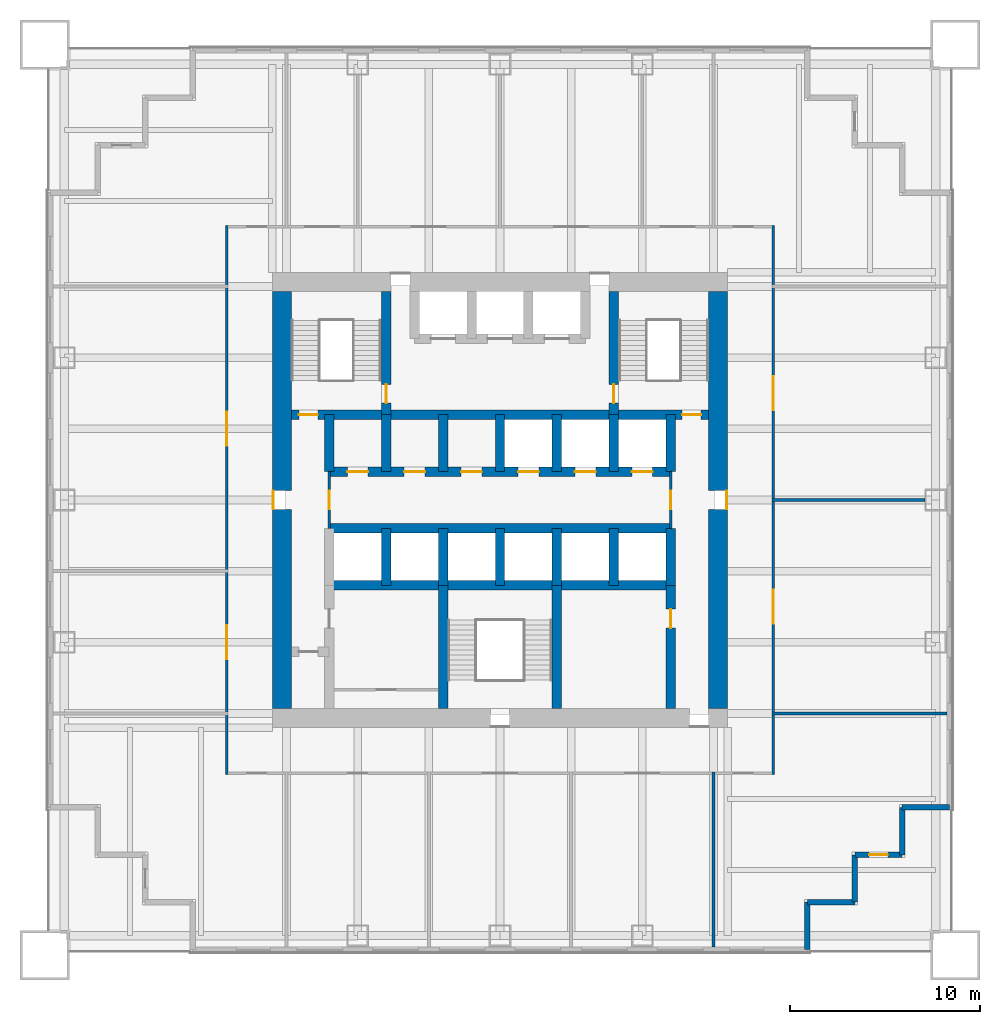
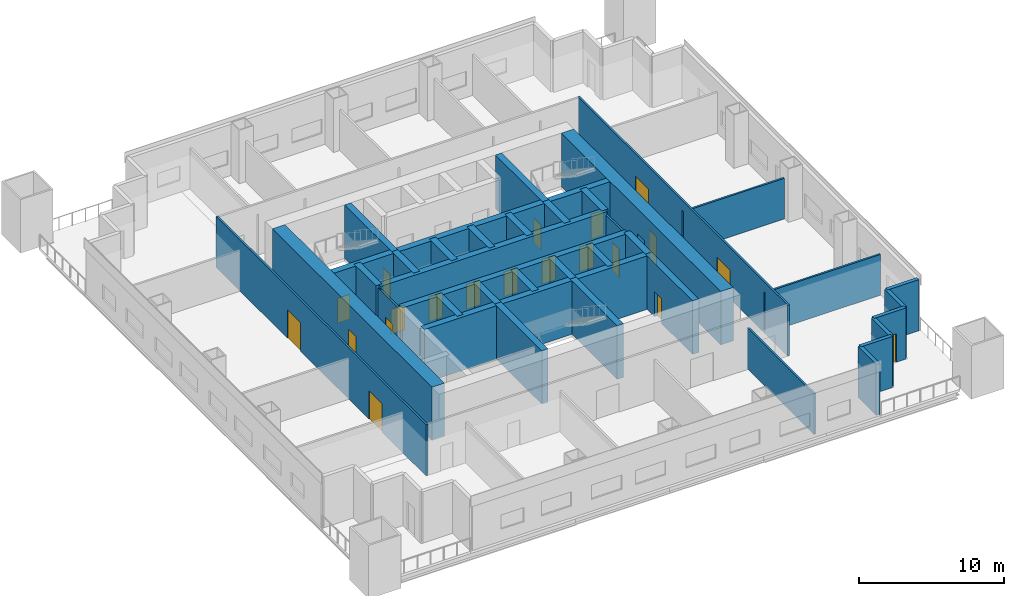
# One storey, part 3 of 6: 37 walls, 20 doors, 20 openings.
"""IFC4 building model written with IfcOpenShell, lengths in metres."""

from ifc_helpers import new_model, si_unit, direction, frame, frame_2d, origin, place, context, subcontext, project, spatial, rectangle, extrude, material, layer, layer_set, type_object, element, fill, save


model = new_model("IFC4")

# Units and contexts
model_context = context("Model", 3, precision=1e-05, world=origin(), true_north=direction((0.0, 1.0)))
body_context = subcontext(model_context, "Body", "Model", "MODEL_VIEW")
ifc_project = project(units=[si_unit("LENGTHUNIT", "METRE"), si_unit("AREAUNIT", "SQUARE_METRE"), si_unit("VOLUMEUNIT", "CUBIC_METRE"), si_unit("PLANEANGLEUNIT", "RADIAN"), si_unit("MASSUNIT", "GRAM", prefix="KILO")], contexts=[model_context])

# Site, building, storey
site_placement = place(None, origin())
site = spatial("IfcSite", under=ifc_project, at=site_placement, CompositionType="ELEMENT")
building_placement = place(site_placement, origin())
building = spatial("IfcBuilding", under=site, at=building_placement, Name="Tarangal Relay Tower", CompositionType="ELEMENT")
storey_placement = place(building_placement, frame((0.0, 0.0, 108.89990234375)))
storey = spatial("IfcBuildingStorey", under=building, at=storey_placement, Name="L21", CompositionType="ELEMENT", Elevation=108.89990234375)

# Wall, openings, doors
ifc_material_1 = material(Name="Concrete fc' 60 MPa", Category="concrete")
ifc_layer_1 = layer(ifc_material_1, 0.5)
ifc_layer_set_1 = layer_set([ifc_layer_1], Name="Core inner wall 500")
wall_type_1 = type_object("IfcWallType", Name="Core inner wall 500", PredefinedType="SHEAR", material=ifc_layer_set_1)
wall_1_placement = place(storey_placement, frame((-11.0, 4.5, 0.0), z_axis=(0.0, 0.0, 1.0), x_axis=(1.0, 0.0, 0.0)))
wall_1 = element("IfcWall", 1, at=wall_1_placement, inside=storey, type_object=wall_type_1, Name="Core wall Y45 L21", PredefinedType="SHEAR", context=body_context, shape_type="SweptSolid", body=[
    extrude(rectangle(XDim=22.0, YDim=0.5, at=frame_2d((11.0, 0.0))), origin(), (0.0, 0.0, 1.0), 4.5),
])
opening_1_placement = place(wall_1_placement, frame((0.39990234375, 0.0, 0.0)))
opening_1 = element("IfcOpeningElement", 2, at=opening_1_placement, cuts=wall_1, Name="Opening FD1", PredefinedType="OPENING", context=body_context, shape_type="SweptSolid", body=[
    extrude(rectangle(XDim=1.0, YDim=2.10009765625, at=frame_2d((0.5, 1.050048828125))), frame((0.0, 0.260009765625, 0.0), z_axis=(0.0, -1.0, 0.0), x_axis=(1.0, 0.0, 0.0)), (0.0, 0.0, 1.0), 0.52001953125),
])
opening_2_placement = place(wall_1_placement, frame((20.60009765625, 0.0, 0.0)))
opening_2 = element("IfcOpeningElement", 3, at=opening_2_placement, cuts=wall_1, Name="Opening FD1", PredefinedType="OPENING", context=body_context, shape_type="SweptSolid", body=[
    extrude(rectangle(XDim=1.0, YDim=2.10009765625, at=frame_2d((0.5, 1.050048828125))), frame((0.0, 0.260009765625, 0.0), z_axis=(0.0, -1.0, 0.0), x_axis=(1.0, 0.0, 0.0)), (0.0, 0.0, 1.0), 0.52001953125),
])
ifc_material_2 = material(Name="Steel door with hardwood frame", Category="steel")
door_type_1 = type_object("IfcDoorType", Name="Fire door 1000 x 2100", OperationType="SINGLE_SWING_LEFT", PredefinedType="DOOR", material=ifc_material_2)
door_1_placement = place(opening_1_placement, origin())
door_1 = element("IfcDoor", 4, at=door_1_placement, inside=storey, type_object=door_type_1, Name="Stair ST-A door from corridor L21", OperationType="SINGLE_SWING_LEFT", OverallHeight=2.10009765625, OverallWidth=1.0, PredefinedType="DOOR", context=body_context, shape_type="SweptSolid", body=[
    extrude(rectangle(XDim=1.0, YDim=2.10009765625, at=frame_2d((0.5, 1.050048828125))), frame((0.0, 0.02490234375, 0.0), z_axis=(0.0, -1.0, 0.0), x_axis=(1.0, 0.0, 0.0)), (0.0, 0.0, 1.0), 0.050048828125),
])
fill(opening_1, door_1)
door_2_placement = place(opening_2_placement, origin())
door_2 = element("IfcDoor", 5, at=door_2_placement, inside=storey, type_object=door_type_1, Name="Stair ST-B door from corridor L21", OperationType="SINGLE_SWING_LEFT", OverallHeight=2.10009765625, OverallWidth=1.0, PredefinedType="DOOR", context=body_context, shape_type="SweptSolid", body=[
    extrude(rectangle(XDim=1.0, YDim=2.10009765625, at=frame_2d((0.5, 1.050048828125))), frame((0.0, 0.02490234375, 0.0), z_axis=(0.0, -1.0, 0.0), x_axis=(1.0, 0.0, 0.0)), (0.0, 0.0, 1.0), 0.050048828125),
])
fill(opening_2, door_2)

wall_2_placement = place(storey_placement, frame((-9.0, 1.5, 0.0), z_axis=(0.0, 0.0, 1.0), x_axis=(1.0, 0.0, 0.0)))
wall_2 = element("IfcWall", 6, at=wall_2_placement, inside=storey, type_object=wall_type_1, Name="Core wall Y15 L21", PredefinedType="SHEAR", context=body_context, shape_type="SweptSolid", body=[
    extrude(rectangle(XDim=18.0, YDim=0.5, at=frame_2d((9.0, 0.0))), origin(), (0.0, 0.0, 1.0), 4.5),
])
opening_3_placement = place(wall_2_placement, frame((9.949951171875, 0.0, 0.0)))
opening_3 = element("IfcOpeningElement", 7, at=opening_3_placement, cuts=wall_2, Name="Opening LD1", PredefinedType="OPENING", context=body_context, shape_type="SweptSolid", body=[
    extrude(rectangle(XDim=1.10009765625, YDim=2.10009765625, at=frame_2d((0.550048828125, 1.050048828125))), frame((0.0, 0.260009765625, 0.0), z_axis=(0.0, -1.0, 0.0), x_axis=(1.0, 0.0, 0.0)), (0.0, 0.0, 1.0), 0.52001953125),
])
opening_4_placement = place(wall_2_placement, frame((12.949951171875, 0.0, 0.0)))
opening_4 = element("IfcOpeningElement", 8, at=opening_4_placement, cuts=wall_2, Name="Opening LD1", PredefinedType="OPENING", context=body_context, shape_type="SweptSolid", body=[
    extrude(rectangle(XDim=1.10009765625, YDim=2.10009765625, at=frame_2d((0.550048828125, 1.050048828125))), frame((0.0, 0.260009765625, 0.0), z_axis=(0.0, -1.0, 0.0), x_axis=(1.0, 0.0, 0.0)), (0.0, 0.0, 1.0), 0.52001953125),
])
opening_5_placement = place(wall_2_placement, frame((15.949951171875, 0.0, 0.0)))
opening_5 = element("IfcOpeningElement", 9, at=opening_5_placement, cuts=wall_2, Name="Opening LD1", PredefinedType="OPENING", context=body_context, shape_type="SweptSolid", body=[
    extrude(rectangle(XDim=1.10009765625, YDim=2.10009765625, at=frame_2d((0.550048828125, 1.050048828125))), frame((0.0, 0.260009765625, 0.0), z_axis=(0.0, -1.0, 0.0), x_axis=(1.0, 0.0, 0.0)), (0.0, 0.0, 1.0), 0.52001953125),
])
opening_6_placement = place(wall_2_placement, frame((0.949951171875, 0.0, 0.0)))
opening_6 = element("IfcOpeningElement", 10, at=opening_6_placement, cuts=wall_2, Name="Opening D4", PredefinedType="OPENING", context=body_context, shape_type="SweptSolid", body=[
    extrude(rectangle(XDim=1.10009765625, YDim=2.10009765625, at=frame_2d((0.550048828125, 1.050048828125))), frame((0.0, 0.260009765625, 0.0), z_axis=(0.0, -1.0, 0.0), x_axis=(1.0, 0.0, 0.0)), (0.0, 0.0, 1.0), 0.52001953125),
])
opening_7_placement = place(wall_2_placement, frame((3.949951171875, 0.0, 0.0)))
opening_7 = element("IfcOpeningElement", 11, at=opening_7_placement, cuts=wall_2, Name="Opening D4", PredefinedType="OPENING", context=body_context, shape_type="SweptSolid", body=[
    extrude(rectangle(XDim=1.10009765625, YDim=2.10009765625, at=frame_2d((0.550048828125, 1.050048828125))), frame((0.0, 0.260009765625, 0.0), z_axis=(0.0, -1.0, 0.0), x_axis=(1.0, 0.0, 0.0)), (0.0, 0.0, 1.0), 0.52001953125),
])
opening_8_placement = place(wall_2_placement, frame((6.949951171875, 0.0, 0.0)))
opening_8 = element("IfcOpeningElement", 12, at=opening_8_placement, cuts=wall_2, Name="Opening D4", PredefinedType="OPENING", context=body_context, shape_type="SweptSolid", body=[
    extrude(rectangle(XDim=1.10009765625, YDim=2.10009765625, at=frame_2d((0.550048828125, 1.050048828125))), frame((0.0, 0.260009765625, 0.0), z_axis=(0.0, -1.0, 0.0), x_axis=(1.0, 0.0, 0.0)), (0.0, 0.0, 1.0), 0.52001953125),
])
door_type_2 = type_object("IfcDoorType", Name="Core room door 1100 x 2100", OperationType="SINGLE_SWING_RIGHT", PredefinedType="DOOR", material=ifc_material_2)
door_3_placement = place(opening_6_placement, origin())
door_3 = element("IfcDoor", 13, at=door_3_placement, inside=storey, type_object=door_type_2, Name="Door D4 to staff pantry L21-D1", OperationType="SINGLE_SWING_RIGHT", OverallHeight=2.10009765625, OverallWidth=1.10009765625, PredefinedType="DOOR", context=body_context, shape_type="SweptSolid", body=[
    extrude(rectangle(XDim=1.10009765625, YDim=2.10009765625, at=frame_2d((0.550048828125, 1.050048828125))), frame((0.0, 0.02490234375, 0.0), z_axis=(0.0, -1.0, 0.0), x_axis=(1.0, 0.0, 0.0)), (0.0, 0.0, 1.0), 0.050048828125),
])
fill(opening_6, door_3)
door_4_placement = place(opening_7_placement, origin())
door_4 = element("IfcDoor", 14, at=door_4_placement, inside=storey, type_object=door_type_2, Name="Door D4 to staff wc L21-D2", OperationType="SINGLE_SWING_RIGHT", OverallHeight=2.10009765625, OverallWidth=1.10009765625, PredefinedType="DOOR", context=body_context, shape_type="SweptSolid", body=[
    extrude(rectangle(XDim=1.10009765625, YDim=2.10009765625, at=frame_2d((0.550048828125, 1.050048828125))), frame((0.0, 0.02490234375, 0.0), z_axis=(0.0, -1.0, 0.0), x_axis=(1.0, 0.0, 0.0)), (0.0, 0.0, 1.0), 0.050048828125),
])
fill(opening_7, door_4)
door_5_placement = place(opening_8_placement, origin())
door_5 = element("IfcDoor", 15, at=door_5_placement, inside=storey, type_object=door_type_2, Name="Door D4 to cleaner's store L21-D3", OperationType="SINGLE_SWING_RIGHT", OverallHeight=2.10009765625, OverallWidth=1.10009765625, PredefinedType="DOOR", context=body_context, shape_type="SweptSolid", body=[
    extrude(rectangle(XDim=1.10009765625, YDim=2.10009765625, at=frame_2d((0.550048828125, 1.050048828125))), frame((0.0, 0.02490234375, 0.0), z_axis=(0.0, -1.0, 0.0), x_axis=(1.0, 0.0, 0.0)), (0.0, 0.0, 1.0), 0.050048828125),
])
fill(opening_8, door_5)
door_type_3 = type_object("IfcDoorType", Name="Lift landing door 1100 x 2100", OperationType="SLIDING_TO_LEFT", PredefinedType="DOOR", material=ifc_material_2)
door_6_placement = place(opening_3_placement, origin())
door_6 = element("IfcDoor", 16, at=door_6_placement, inside=storey, type_object=door_type_3, Name="Lift T1 landing door L21", OperationType="SLIDING_TO_LEFT", OverallHeight=2.10009765625, OverallWidth=1.10009765625, PredefinedType="DOOR", context=body_context, shape_type="SweptSolid", body=[
    extrude(rectangle(XDim=1.10009765625, YDim=2.10009765625, at=frame_2d((0.550048828125, 1.050048828125))), frame((0.0, 0.02490234375, 0.0), z_axis=(0.0, -1.0, 0.0), x_axis=(1.0, 0.0, 0.0)), (0.0, 0.0, 1.0), 0.050048828125),
])
fill(opening_3, door_6)
door_7_placement = place(opening_4_placement, origin())
door_7 = element("IfcDoor", 17, at=door_7_placement, inside=storey, type_object=door_type_3, Name="Lift T2 landing door L21", OperationType="SLIDING_TO_LEFT", OverallHeight=2.10009765625, OverallWidth=1.10009765625, PredefinedType="DOOR", context=body_context, shape_type="SweptSolid", body=[
    extrude(rectangle(XDim=1.10009765625, YDim=2.10009765625, at=frame_2d((0.550048828125, 1.050048828125))), frame((0.0, 0.02490234375, 0.0), z_axis=(0.0, -1.0, 0.0), x_axis=(1.0, 0.0, 0.0)), (0.0, 0.0, 1.0), 0.050048828125),
])
fill(opening_4, door_7)
door_8_placement = place(opening_5_placement, origin())
door_8 = element("IfcDoor", 18, at=door_8_placement, inside=storey, type_object=door_type_3, Name="Lift T3 landing door L21", OperationType="SLIDING_TO_LEFT", OverallHeight=2.10009765625, OverallWidth=1.10009765625, PredefinedType="DOOR", context=body_context, shape_type="SweptSolid", body=[
    extrude(rectangle(XDim=1.10009765625, YDim=2.10009765625, at=frame_2d((0.550048828125, 1.050048828125))), frame((0.0, 0.02490234375, 0.0), z_axis=(0.0, -1.0, 0.0), x_axis=(1.0, 0.0, 0.0)), (0.0, 0.0, 1.0), 0.050048828125),
])
fill(opening_5, door_8)

# Walls
for number, where, z_axis, x_axis, name in (
    (19, (-9.0, -1.5, 0.0), (0.0, 0.0, 1.0), (1.0, 0.0, 0.0), "Core wall YM15 L21"),
    (20, (-9.0, -4.5, 0.0), (0.0, 0.0, 1.0), (1.0, 0.0, 0.0), "Core wall YM45 L21"),
):
    element("IfcWall", number, at=place(storey_placement, frame(where, z_axis=z_axis, x_axis=x_axis)), inside=storey, type_object=wall_type_1, Name=name, PredefinedType="SHEAR", context=body_context, shape_type="SweptSolid", body=[
        extrude(rectangle(XDim=18.0, YDim=0.5, at=frame_2d((9.0, 0.0))), origin(), (0.0, 0.0, 1.0), 4.5),
    ])
for number, where, z_axis, x_axis, name in (
    (21, (-9.0, 1.5, 0.0), (0.0, 0.0, 1.0), (0.0, 1.0, 0.0), "Core wall XM9N L21"),
    (22, (9.0, 1.5, 0.0), (0.0, 0.0, 1.0), (0.0, 1.0, 0.0), "Core wall X9N L21"),
    (23, (9.0, -4.5, 0.0), (0.0, 0.0, 1.0), (0.0, 1.0, 0.0), "Core wall X9S L21"),
    (24, (-6.0, 1.5, 0.0), (0.0, 0.0, 1.0), (0.0, 1.0, 0.0), "Core wall XM6N L21"),
    (25, (-3.0, 1.5, 0.0), (0.0, 0.0, 1.0), (0.0, 1.0, 0.0), "Core wall XM3N L21"),
    (26, (0.0, 1.5, 0.0), (0.0, 0.0, 1.0), (0.0, 1.0, 0.0), "Core wall X0N L21"),
    (27, (3.0, 1.5, 0.0), (0.0, 0.0, 1.0), (0.0, 1.0, 0.0), "Core wall X3N L21"),
    (28, (6.0, 1.5, 0.0), (0.0, 0.0, 1.0), (0.0, 1.0, 0.0), "Core wall X6N L21"),
    (29, (-6.0, -4.5, 0.0), (0.0, 0.0, 1.0), (0.0, 1.0, 0.0), "Core wall XM6S L21"),
    (30, (-3.0, -4.5, 0.0), (0.0, 0.0, 1.0), (0.0, 1.0, 0.0), "Core wall XM3S L21"),
    (31, (0.0, -4.5, 0.0), (0.0, 0.0, 1.0), (0.0, 1.0, 0.0), "Core wall X0S L21"),
    (32, (3.0, -4.5, 0.0), (0.0, 0.0, 1.0), (0.0, 1.0, 0.0), "Core wall X3S L21"),
    (33, (6.0, -4.5, 0.0), (0.0, 0.0, 1.0), (0.0, 1.0, 0.0), "Core wall X6S L21"),
):
    element("IfcWall", number, at=place(storey_placement, frame(where, z_axis=z_axis, x_axis=x_axis)), inside=storey, type_object=wall_type_1, Name=name, PredefinedType="SHEAR", context=body_context, shape_type="SweptSolid", body=[
        extrude(rectangle(XDim=3.0, YDim=0.5, at=frame_2d((1.5, 0.0))), origin(), (0.0, 0.0, 1.0), 4.5),
    ])

# Wall, opening, door
wall_3_placement = place(storey_placement, frame((-6.0, 4.5, 0.0), z_axis=(0.0, 0.0, 1.0), x_axis=(0.0, 1.0, 0.0)))
wall_3 = element("IfcWall", 34, at=wall_3_placement, inside=storey, type_object=wall_type_1, Name="Core wall XM6 L21", PredefinedType="SHEAR", context=body_context, shape_type="SweptSolid", body=[
    extrude(rectangle(XDim=6.5, YDim=0.5, at=frame_2d((3.25, 0.0))), origin(), (0.0, 0.0, 1.0), 4.5),
])
opening_9_placement = place(wall_3_placement, frame((0.60009765625, 0.0, 0.0)))
opening_9 = element("IfcOpeningElement", 35, at=opening_9_placement, cuts=wall_3, Name="Opening FD1", PredefinedType="OPENING", context=body_context, shape_type="SweptSolid", body=[
    extrude(rectangle(XDim=1.0, YDim=2.10009765625, at=frame_2d((0.5, 1.050048828125))), frame((0.0, 0.260009765625, 0.0), z_axis=(0.0, -1.0, 0.0), x_axis=(1.0, 0.0, 0.0)), (0.0, 0.0, 1.0), 0.52001953125),
])
door_9_placement = place(opening_9_placement, origin())
door_9 = element("IfcDoor", 36, at=door_9_placement, inside=storey, type_object=door_type_1, Name="Stair ST-A door from fire-fighting lobby L21", OperationType="SINGLE_SWING_LEFT", OverallHeight=2.10009765625, OverallWidth=1.0, PredefinedType="DOOR", context=body_context, shape_type="SweptSolid", body=[
    extrude(rectangle(XDim=1.0, YDim=2.10009765625, at=frame_2d((0.5, 1.050048828125))), frame((0.0, 0.02490234375, 0.0), z_axis=(0.0, -1.0, 0.0), x_axis=(1.0, 0.0, 0.0)), (0.0, 0.0, 1.0), 0.050048828125),
])
fill(opening_9, door_9)

wall_4_placement = place(storey_placement, frame((6.0, 4.5, 0.0), z_axis=(0.0, 0.0, 1.0), x_axis=(0.0, 1.0, 0.0)))
wall_4 = element("IfcWall", 37, at=wall_4_placement, inside=storey, type_object=wall_type_1, Name="Core wall X6 L21", PredefinedType="SHEAR", context=body_context, shape_type="SweptSolid", body=[
    extrude(rectangle(XDim=6.5, YDim=0.5, at=frame_2d((3.25, 0.0))), origin(), (0.0, 0.0, 1.0), 4.5),
])
opening_10_placement = place(wall_4_placement, frame((0.60009765625, 0.0, 0.0)))
opening_10 = element("IfcOpeningElement", 38, at=opening_10_placement, cuts=wall_4, Name="Opening FD1", PredefinedType="OPENING", context=body_context, shape_type="SweptSolid", body=[
    extrude(rectangle(XDim=1.0, YDim=2.10009765625, at=frame_2d((0.5, 1.050048828125))), frame((0.0, 0.260009765625, 0.0), z_axis=(0.0, -1.0, 0.0), x_axis=(1.0, 0.0, 0.0)), (0.0, 0.0, 1.0), 0.52001953125),
])
door_10_placement = place(opening_10_placement, origin())
door_10 = element("IfcDoor", 39, at=door_10_placement, inside=storey, type_object=door_type_1, Name="Stair ST-B door from fire-fighting lobby L21", OperationType="SINGLE_SWING_LEFT", OverallHeight=2.10009765625, OverallWidth=1.0, PredefinedType="DOOR", context=body_context, shape_type="SweptSolid", body=[
    extrude(rectangle(XDim=1.0, YDim=2.10009765625, at=frame_2d((0.5, 1.050048828125))), frame((0.0, 0.02490234375, 0.0), z_axis=(0.0, -1.0, 0.0), x_axis=(1.0, 0.0, 0.0)), (0.0, 0.0, 1.0), 0.050048828125),
])
fill(opening_10, door_10)

wall_5_placement = place(storey_placement, frame((9.0, -11.0, 0.0), z_axis=(0.0, 0.0, 1.0), x_axis=(0.0, 1.0, 0.0)))
wall_5 = element("IfcWall", 40, at=wall_5_placement, inside=storey, type_object=wall_type_1, Name="Core wall X9W L21", PredefinedType="SHEAR", context=body_context, shape_type="SweptSolid", body=[
    extrude(rectangle(XDim=6.5, YDim=0.5, at=frame_2d((3.25, 0.0))), origin(), (0.0, 0.0, 1.0), 4.5),
])
opening_11_placement = place(wall_5_placement, frame((4.25, 0.0, 0.0)))
opening_11 = element("IfcOpeningElement", 41, at=opening_11_placement, cuts=wall_5, Name="Opening D1", PredefinedType="OPENING", context=body_context, shape_type="SweptSolid", body=[
    extrude(rectangle(XDim=1.0, YDim=2.10009765625, at=frame_2d((0.5, 1.050048828125))), frame((0.0, 0.260009765625, 0.0), z_axis=(0.0, -1.0, 0.0), x_axis=(1.0, 0.0, 0.0)), (0.0, 0.0, 1.0), 0.52001953125),
])
ifc_material_3 = material(Name="Hardwood door", Category="wood")
door_type_4 = type_object("IfcDoorType", Name="WC door 1000 x 2100", OperationType="SINGLE_SWING_LEFT", PredefinedType="DOOR", material=ifc_material_3)
door_11_placement = place(opening_11_placement, origin())
door_11 = element("IfcDoor", 42, at=door_11_placement, inside=storey, type_object=door_type_4, Name="Female WC door L21", OperationType="SINGLE_SWING_LEFT", OverallHeight=2.10009765625, OverallWidth=1.0, PredefinedType="DOOR", context=body_context, shape_type="SweptSolid", body=[
    extrude(rectangle(XDim=1.0, YDim=2.10009765625, at=frame_2d((0.5, 1.050048828125))), frame((0.0, 0.02490234375, 0.0), z_axis=(0.0, -1.0, 0.0), x_axis=(1.0, 0.0, 0.0)), (0.0, 0.0, 1.0), 0.050048828125),
])
fill(opening_11, door_11)

# Walls
for number, where, z_axis, x_axis, name in (
    (43, (-3.0, -11.0, 0.0), (0.0, 0.0, 1.0), (0.0, 1.0, 0.0), "Core wall XM3W L21"),
    (44, (3.0, -11.0, 0.0), (0.0, 0.0, 1.0), (0.0, 1.0, 0.0), "Core wall X3W L21"),
):
    element("IfcWall", number, at=place(storey_placement, frame(where, z_axis=z_axis, x_axis=x_axis)), inside=storey, type_object=wall_type_1, Name=name, PredefinedType="SHEAR", context=body_context, shape_type="SweptSolid", body=[
        extrude(rectangle(XDim=6.5, YDim=0.5, at=frame_2d((3.25, 0.0))), origin(), (0.0, 0.0, 1.0), 4.5),
    ])

# Wall, opening, door
ifc_layer_2 = layer(ifc_material_1, 1.0)
ifc_layer_set_2 = layer_set([ifc_layer_2], Name="Core wall 1000")
wall_type_2 = type_object("IfcWallType", Name="Core wall 1000", PredefinedType="SHEAR", material=ifc_layer_set_2)
wall_6_placement = place(storey_placement, frame((11.5, 11.0, 0.0), z_axis=(0.0, 0.0, 1.0), x_axis=(0.0, -1.0, 0.0)))
wall_6 = element("IfcWall", 45, at=wall_6_placement, inside=storey, type_object=wall_type_2, Name="Core wall E L21", PredefinedType="SHEAR", context=body_context, shape_type="SweptSolid", body=[
    extrude(rectangle(XDim=22.0, YDim=1.0, at=frame_2d((11.0, 0.0))), origin(), (0.0, 0.0, 1.0), 4.5),
])
opening_12_placement = place(wall_6_placement, frame((10.5, 0.0, 0.0)))
opening_12 = element("IfcOpeningElement", 46, at=opening_12_placement, cuts=wall_6, Name="Opening FD3", PredefinedType="OPENING", context=body_context, shape_type="SweptSolid", body=[
    extrude(rectangle(XDim=1.0, YDim=2.39990234375, at=frame_2d((0.5, 1.199951171875))), frame((0.0, 0.510009765625, 0.0), z_axis=(0.0, -1.0, 0.0), x_axis=(1.0, 0.0, 0.0)), (0.0, 0.0, 1.0), 1.02001953125),
])
door_type_5 = type_object("IfcDoorType", Name="Fire door 1000 x 2400 core entry", OperationType="SINGLE_SWING_RIGHT", PredefinedType="DOOR", material=ifc_material_2)
door_12_placement = place(opening_12_placement, origin())
door_12 = element("IfcDoor", 47, at=door_12_placement, inside=storey, type_object=door_type_5, Name="Core entry door east L21", OperationType="SINGLE_SWING_RIGHT", OverallHeight=2.39990234375, OverallWidth=1.0, PredefinedType="DOOR", context=body_context, shape_type="SweptSolid", body=[
    extrude(rectangle(XDim=1.0, YDim=2.39990234375, at=frame_2d((0.5, 1.199951171875))), frame((0.0, 0.48486328125, 0.0), z_axis=(0.0, -1.0, 0.0), x_axis=(1.0, 0.0, 0.0)), (0.0, 0.0, 1.0), 0.050048828125),
])
fill(opening_12, door_12)

wall_7_placement = place(storey_placement, frame((-11.5, -11.0, 0.0), z_axis=(0.0, 0.0, 1.0), x_axis=(0.0, 1.0, 0.0)))
wall_7 = element("IfcWall", 48, at=wall_7_placement, inside=storey, type_object=wall_type_2, Name="Core wall W L21", PredefinedType="SHEAR", context=body_context, shape_type="SweptSolid", body=[
    extrude(rectangle(XDim=22.0, YDim=1.0, at=frame_2d((11.0, 0.0))), origin(), (0.0, 0.0, 1.0), 4.5),
])
opening_13_placement = place(wall_7_placement, frame((10.5, 0.0, 0.0)))
opening_13 = element("IfcOpeningElement", 49, at=opening_13_placement, cuts=wall_7, Name="Opening FD3", PredefinedType="OPENING", context=body_context, shape_type="SweptSolid", body=[
    extrude(rectangle(XDim=1.0, YDim=2.39990234375, at=frame_2d((0.5, 1.199951171875))), frame((0.0, 0.510009765625, 0.0), z_axis=(0.0, -1.0, 0.0), x_axis=(1.0, 0.0, 0.0)), (0.0, 0.0, 1.0), 1.02001953125),
])
door_13_placement = place(opening_13_placement, origin())
door_13 = element("IfcDoor", 50, at=door_13_placement, inside=storey, type_object=door_type_5, Name="Core entry door west L21", OperationType="SINGLE_SWING_RIGHT", OverallHeight=2.39990234375, OverallWidth=1.0, PredefinedType="DOOR", context=body_context, shape_type="SweptSolid", body=[
    extrude(rectangle(XDim=1.0, YDim=2.39990234375, at=frame_2d((0.5, 1.199951171875))), frame((0.0, 0.48486328125, 0.0), z_axis=(0.0, -1.0, 0.0), x_axis=(1.0, 0.0, 0.0)), (0.0, 0.0, 1.0), 0.050048828125),
])
fill(opening_13, door_13)

# Walls
ifc_material_4 = material(Name="Insulated precast concrete fc' 40 MPa", Category="concrete")
ifc_layer_3 = layer(ifc_material_4, 0.300048828125)
ifc_layer_set_3 = layer_set([ifc_layer_3], Name="Insulated precast concrete fc' 40 MPa")
wall_type_3 = type_object("IfcWallType", Name="Facade wall precast 300", PredefinedType="SOLIDWALL", material=ifc_layer_set_3)
for number, where, z_axis, x_axis, name in (
    (51, (23.699951171875, -16.199951171875, 0.0), (0.0, 0.0, 1.0), (-1.0, 0.0, 0.0), "Facade wall E facade L21"),
    (52, (21.199951171875, -16.199951171875, 0.0), (0.0, 0.0, 1.0), (0.0, -1.0, 0.0), "Facade wall E facade L21"),
):
    element("IfcWall", number, at=place(storey_placement, frame(where, z_axis=z_axis, x_axis=x_axis)), inside=storey, type_object=wall_type_3, Name=name, PredefinedType="SOLIDWALL", context=body_context, shape_type="SweptSolid", body=[
        extrude(rectangle(XDim=2.5, YDim=0.300048828125, at=frame_2d((1.25, 0.0))), origin(), (0.0, 0.0, 1.0), 4.300048828125),
    ])

# Wall, opening, door
wall_8_placement = place(storey_placement, frame((21.199951171875, -18.699951171875, 0.0), z_axis=(0.0, 0.0, 1.0), x_axis=(-1.0, 0.0, 0.0)))
wall_8 = element("IfcWall", 53, at=wall_8_placement, inside=storey, type_object=wall_type_3, Name="Facade wall E facade L21", PredefinedType="SOLIDWALL", context=body_context, shape_type="SweptSolid", body=[
    extrude(rectangle(XDim=2.5, YDim=0.300048828125, at=frame_2d((1.25, 0.0))), origin(), (0.0, 0.0, 1.0), 4.300048828125),
])
opening_14_placement = place(wall_8_placement, frame((0.75, 0.0, 0.0)))
opening_14 = element("IfcOpeningElement", 54, at=opening_14_placement, cuts=wall_8, Name="Opening TD1", PredefinedType="OPENING", context=body_context, shape_type="SweptSolid", body=[
    extrude(rectangle(XDim=1.0, YDim=2.39990234375, at=frame_2d((0.5, 1.199951171875))), frame((0.0, 0.159912109375, 0.0), z_axis=(0.0, -1.0, 0.0), x_axis=(1.0, 0.0, 0.0)), (0.0, 0.0, 1.0), 0.320068359375),
])
ifc_material_5 = material(Name="Aluminium glazed door", Category="aluminium")
door_type_6 = type_object("IfcDoorType", Name="Terrace door 1000 x 2400", OperationType="SINGLE_SWING_RIGHT", PredefinedType="DOOR", material=ifc_material_5)
door_14_placement = place(opening_14_placement, origin())
door_14 = element("IfcDoor", 55, at=door_14_placement, inside=storey, type_object=door_type_6, Name="Terrace door TD1 SE L21", OperationType="SINGLE_SWING_RIGHT", OverallHeight=2.39990234375, OverallWidth=1.0, PredefinedType="DOOR", context=body_context, shape_type="SweptSolid", body=[
    extrude(rectangle(XDim=1.0, YDim=2.39990234375, at=frame_2d((0.5, 1.199951171875))), frame((0.0, 0.02490234375, 0.0), z_axis=(0.0, -1.0, 0.0), x_axis=(1.0, 0.0, 0.0)), (0.0, 0.0, 1.0), 0.050048828125),
])
fill(opening_14, door_14)

# Walls
for number, where, z_axis, x_axis, name in (
    (56, (18.699951171875, -18.699951171875, 0.0), (0.0, 0.0, 1.0), (0.0, -1.0, 0.0), "Facade wall E facade L21"),
    (57, (18.699951171875, -21.199951171875, 0.0), (0.0, 0.0, 1.0), (-1.0, 0.0, 0.0), "Facade wall E facade L21"),
    (58, (16.199951171875, -21.199951171875, 0.0), (0.0, 0.0, 1.0), (0.0, -1.0, 0.0), "Facade wall E facade L21"),
):
    element("IfcWall", number, at=place(storey_placement, frame(where, z_axis=z_axis, x_axis=x_axis)), inside=storey, type_object=wall_type_3, Name=name, PredefinedType="SOLIDWALL", context=body_context, shape_type="SweptSolid", body=[
        extrude(rectangle(XDim=2.5, YDim=0.300048828125, at=frame_2d((1.25, 0.0))), origin(), (0.0, 0.0, 1.0), 4.300048828125),
    ])
ifc_material_6 = material(Name="Gypsum board on steel studs", Category="steel")
ifc_layer_4 = layer(ifc_material_6, 0.14990234375)
ifc_layer_set_4 = layer_set([ifc_layer_4], Name="Partition 150")
wall_type_4 = type_object("IfcWallType", Name="Partition 150", PredefinedType="PARTITIONING", material=ifc_layer_set_4)
wall_9_placement = place(storey_placement, frame((14.324951171875, -11.25, 0.0), z_axis=(0.0, 0.0, 1.0), x_axis=(1.0, 0.0, 0.0)))
element("IfcWall", 59, at=wall_9_placement, inside=storey, type_object=wall_type_4, Name="Partition PT1 L21", PredefinedType="PARTITIONING", context=body_context, shape_type="SweptSolid", body=[
    extrude(rectangle(XDim=9.22509765625, YDim=0.14990234375, at=frame_2d((4.612548828125, 0.0))), origin(), (0.0, 0.0, 1.0), 3.431396484375),
])
wall_10_placement = place(storey_placement, frame((14.324951171875, 0.0, 0.0), z_axis=(0.0, 0.0, 1.0), x_axis=(1.0, 0.0, 0.0)))
element("IfcWall", 60, at=wall_10_placement, inside=storey, type_object=wall_type_4, Name="Partition PT1 L21", PredefinedType="PARTITIONING", context=body_context, shape_type="SweptSolid", body=[
    extrude(rectangle(XDim=8.06494140625, YDim=0.14990234375, at=frame_2d((4.032470703125, 0.0))), origin(), (0.0, 0.0, 1.0), 3.431396484375),
])

# Wall, openings, doors
wall_11_placement = place(storey_placement, frame((-14.39990234375, -14.47509765625, 0.0), z_axis=(0.0, 0.0, 1.0), x_axis=(0.0, 1.0, 0.0)))
wall_11 = element("IfcWall", 61, at=wall_11_placement, inside=storey, type_object=wall_type_4, Name="Partition PT1 L21", PredefinedType="PARTITIONING", context=body_context, shape_type="SweptSolid", body=[
    extrude(rectangle(XDim=28.9501953125, YDim=0.14990234375, at=frame_2d((14.47509765625, 0.0))), origin(), (0.0, 0.0, 1.0), 4.300048828125),
])
opening_15_placement = place(wall_11_placement, frame((6.074951171875, 0.0, 0.0)))
opening_15 = element("IfcOpeningElement", 62, at=opening_15_placement, cuts=wall_11, Name="Opening DD1", PredefinedType="OPENING", context=body_context, shape_type="SweptSolid", body=[
    extrude(rectangle(XDim=1.800048828125, YDim=2.39990234375, at=frame_2d((0.89990234375, 1.199951171875))), frame((0.0, 0.0849609375, 0.0), z_axis=(0.0, -1.0, 0.0), x_axis=(1.0, 0.0, 0.0)), (0.0, 0.0, 1.0), 0.169921875),
])
opening_16_placement = place(wall_11_placement, frame((17.324951171875, 0.0, 0.0)))
opening_16 = element("IfcOpeningElement", 63, at=opening_16_placement, cuts=wall_11, Name="Opening DD1", PredefinedType="OPENING", context=body_context, shape_type="SweptSolid", body=[
    extrude(rectangle(XDim=1.800048828125, YDim=2.39990234375, at=frame_2d((0.89990234375, 1.199951171875))), frame((0.0, 0.0849609375, 0.0), z_axis=(0.0, -1.0, 0.0), x_axis=(1.0, 0.0, 0.0)), (0.0, 0.0, 1.0), 0.169921875),
])
door_type_7 = type_object("IfcDoorType", Name="Equipment double door 1800 x 2400", OperationType="DOUBLE_DOOR_SINGLE_SWING", PredefinedType="DOOR", material=ifc_material_2)
door_15_placement = place(opening_15_placement, origin())
door_15 = element("IfcDoor", 64, at=door_15_placement, inside=storey, type_object=door_type_7, Name="Door DD1 to fibre distribution room L21-11", OperationType="DOUBLE_DOOR_SINGLE_SWING", OverallHeight=2.39990234375, OverallWidth=1.800048828125, PredefinedType="DOOR", context=body_context, shape_type="SweptSolid", body=[
    extrude(rectangle(XDim=1.800048828125, YDim=2.39990234375, at=frame_2d((0.89990234375, 1.199951171875))), frame((0.0, 0.02490234375, 0.0), z_axis=(0.0, -1.0, 0.0), x_axis=(1.0, 0.0, 0.0)), (0.0, 0.0, 1.0), 0.050048828125),
])
fill(opening_15, door_15)
door_16_placement = place(opening_16_placement, origin())
door_16 = element("IfcDoor", 65, at=door_16_placement, inside=storey, type_object=door_type_7, Name="Door DD1 to telecom equipment room L21-12", OperationType="DOUBLE_DOOR_SINGLE_SWING", OverallHeight=2.39990234375, OverallWidth=1.800048828125, PredefinedType="DOOR", context=body_context, shape_type="SweptSolid", body=[
    extrude(rectangle(XDim=1.800048828125, YDim=2.39990234375, at=frame_2d((0.89990234375, 1.199951171875))), frame((0.0, 0.02490234375, 0.0), z_axis=(0.0, -1.0, 0.0), x_axis=(1.0, 0.0, 0.0)), (0.0, 0.0, 1.0), 0.050048828125),
])
fill(opening_16, door_16)

# Wall
wall_12_placement = place(storey_placement, frame((11.25, -23.550048828125, 0.0), z_axis=(0.0, 0.0, 1.0), x_axis=(0.0, 1.0, 0.0)))
element("IfcWall", 66, at=wall_12_placement, inside=storey, type_object=wall_type_4, Name="Partition PT1 L21", PredefinedType="PARTITIONING", context=body_context, shape_type="SweptSolid", body=[
    extrude(rectangle(XDim=9.22509765625, YDim=0.14990234375, at=frame_2d((4.612548828125, 0.0))), origin(), (0.0, 0.0, 1.0), 3.431396484375),
])

# Wall, openings, doors
wall_13_placement = place(storey_placement, frame((14.39990234375, -14.47509765625, 0.0), z_axis=(0.0, 0.0, 1.0), x_axis=(0.0, 1.0, 0.0)))
wall_13 = element("IfcWall", 67, at=wall_13_placement, inside=storey, type_object=wall_type_4, Name="Partition PT1 L21", PredefinedType="PARTITIONING", context=body_context, shape_type="SweptSolid", body=[
    extrude(rectangle(XDim=28.9501953125, YDim=0.14990234375, at=frame_2d((14.47509765625, 0.0))), origin(), (0.0, 0.0, 1.0), 4.300048828125),
])
opening_17_placement = place(wall_13_placement, frame((19.199951171875, 0.0, 0.0)))
opening_17 = element("IfcOpeningElement", 68, at=opening_17_placement, cuts=wall_13, Name="Opening DD1", PredefinedType="OPENING", context=body_context, shape_type="SweptSolid", body=[
    extrude(rectangle(XDim=1.800048828125, YDim=2.39990234375, at=frame_2d((0.89990234375, 1.199951171875))), frame((0.0, 0.0849609375, 0.0), z_axis=(0.0, -1.0, 0.0), x_axis=(1.0, 0.0, 0.0)), (0.0, 0.0, 1.0), 0.169921875),
])
opening_18_placement = place(wall_13_placement, frame((7.949951171875, 0.0, 0.0)))
opening_18 = element("IfcOpeningElement", 69, at=opening_18_placement, cuts=wall_13, Name="Opening DD1", PredefinedType="OPENING", context=body_context, shape_type="SweptSolid", body=[
    extrude(rectangle(XDim=1.800048828125, YDim=2.39990234375, at=frame_2d((0.89990234375, 1.199951171875))), frame((0.0, 0.0849609375, 0.0), z_axis=(0.0, -1.0, 0.0), x_axis=(1.0, 0.0, 0.0)), (0.0, 0.0, 1.0), 0.169921875),
])
door_17_placement = place(opening_17_placement, origin())
door_17 = element("IfcDoor", 70, at=door_17_placement, inside=storey, type_object=door_type_7, Name="Door DD1 to carrier equipment room L21-06", OperationType="DOUBLE_DOOR_SINGLE_SWING", OverallHeight=2.39990234375, OverallWidth=1.800048828125, PredefinedType="DOOR", context=body_context, shape_type="SweptSolid", body=[
    extrude(rectangle(XDim=1.800048828125, YDim=2.39990234375, at=frame_2d((0.89990234375, 1.199951171875))), frame((0.0, 0.02490234375, 0.0), z_axis=(0.0, -1.0, 0.0), x_axis=(1.0, 0.0, 0.0)), (0.0, 0.0, 1.0), 0.050048828125),
])
fill(opening_17, door_17)
door_18_placement = place(opening_18_placement, origin())
door_18 = element("IfcDoor", 71, at=door_18_placement, inside=storey, type_object=door_type_7, Name="Door DD1 to carrier equipment room L21-07", OperationType="DOUBLE_DOOR_SINGLE_SWING", OverallHeight=2.39990234375, OverallWidth=1.800048828125, PredefinedType="DOOR", context=body_context, shape_type="SweptSolid", body=[
    extrude(rectangle(XDim=1.800048828125, YDim=2.39990234375, at=frame_2d((0.89990234375, 1.199951171875))), frame((0.0, 0.02490234375, 0.0), z_axis=(0.0, -1.0, 0.0), x_axis=(1.0, 0.0, 0.0)), (0.0, 0.0, 1.0), 0.050048828125),
])
fill(opening_18, door_18)

# Wall, opening, door
wall_14_placement = place(storey_placement, frame((-9.0, -1.5, 0.0), z_axis=(0.0, 0.0, 1.0), x_axis=(0.0, 1.0, 0.0)))
wall_14 = element("IfcWall", 72, at=wall_14_placement, inside=storey, type_object=wall_type_4, Name="Partition PT1 L21", PredefinedType="PARTITIONING", context=body_context, shape_type="SweptSolid", body=[
    extrude(rectangle(XDim=3.0, YDim=0.14990234375, at=frame_2d((1.5, 0.0))), origin(), (0.0, 0.0, 1.0), 4.25),
])
opening_19_placement = place(wall_14_placement, frame((1.0, 0.0, 0.0)))
opening_19 = element("IfcOpeningElement", 73, at=opening_19_placement, cuts=wall_14, Name="Opening FD3", PredefinedType="OPENING", context=body_context, shape_type="SweptSolid", body=[
    extrude(rectangle(XDim=1.0, YDim=2.39990234375, at=frame_2d((0.5, 1.199951171875))), frame((0.0, 0.0849609375, 0.0), z_axis=(0.0, -1.0, 0.0), x_axis=(1.0, 0.0, 0.0)), (0.0, 0.0, 1.0), 0.169921875),
])
door_19_placement = place(opening_19_placement, origin())
door_19 = element("IfcDoor", 74, at=door_19_placement, inside=storey, type_object=door_type_5, Name="Lift lobby door FD3 to the west corridor L21", OperationType="SINGLE_SWING_RIGHT", OverallHeight=2.39990234375, OverallWidth=1.0, PredefinedType="DOOR", context=body_context, shape_type="SweptSolid", body=[
    extrude(rectangle(XDim=1.0, YDim=2.39990234375, at=frame_2d((0.5, 1.199951171875))), frame((0.0, 0.02490234375, 0.0), z_axis=(0.0, -1.0, 0.0), x_axis=(1.0, 0.0, 0.0)), (0.0, 0.0, 1.0), 0.050048828125),
])
fill(opening_19, door_19)

wall_15_placement = place(storey_placement, frame((9.0, -1.5, 0.0), z_axis=(0.0, 0.0, 1.0), x_axis=(0.0, 1.0, 0.0)))
wall_15 = element("IfcWall", 75, at=wall_15_placement, inside=storey, type_object=wall_type_4, Name="Partition PT1 L21", PredefinedType="PARTITIONING", context=body_context, shape_type="SweptSolid", body=[
    extrude(rectangle(XDim=3.0, YDim=0.14990234375, at=frame_2d((1.5, 0.0))), origin(), (0.0, 0.0, 1.0), 4.25),
])
opening_20_placement = place(wall_15_placement, frame((1.0, 0.0, 0.0)))
opening_20 = element("IfcOpeningElement", 76, at=opening_20_placement, cuts=wall_15, Name="Opening FD3", PredefinedType="OPENING", context=body_context, shape_type="SweptSolid", body=[
    extrude(rectangle(XDim=1.0, YDim=2.39990234375, at=frame_2d((0.5, 1.199951171875))), frame((0.0, 0.0849609375, 0.0), z_axis=(0.0, -1.0, 0.0), x_axis=(1.0, 0.0, 0.0)), (0.0, 0.0, 1.0), 0.169921875),
])
door_20_placement = place(opening_20_placement, origin())
door_20 = element("IfcDoor", 77, at=door_20_placement, inside=storey, type_object=door_type_5, Name="Lift lobby door FD3 to the east corridor L21", OperationType="SINGLE_SWING_RIGHT", OverallHeight=2.39990234375, OverallWidth=1.0, PredefinedType="DOOR", context=body_context, shape_type="SweptSolid", body=[
    extrude(rectangle(XDim=1.0, YDim=2.39990234375, at=frame_2d((0.5, 1.199951171875))), frame((0.0, 0.02490234375, 0.0), z_axis=(0.0, -1.0, 0.0), x_axis=(1.0, 0.0, 0.0)), (0.0, 0.0, 1.0), 0.050048828125),
])
fill(opening_20, door_20)

save(model, "model.ifc")
